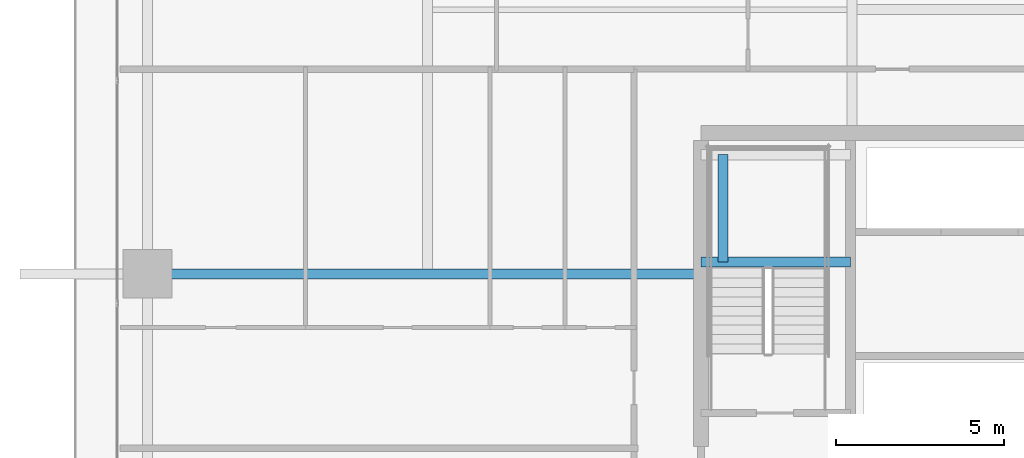
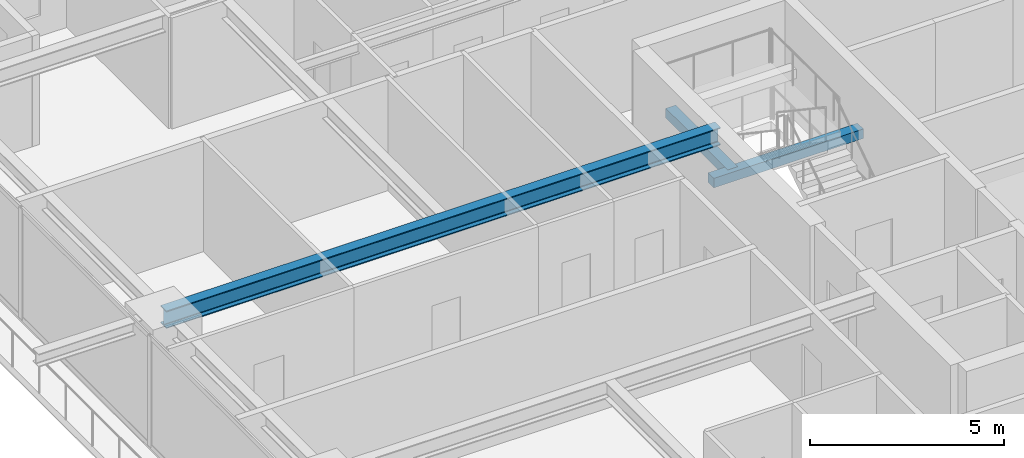
# One storey, part 9 of 38: 3 beams.
"""IFC4 building model written with IfcOpenShell, lengths in metres."""

from ifc_helpers import new_model, si_unit, direction, frame, origin, origin_2d, place, context, subcontext, project, spatial, rectangle, i_section, extrude, source, transform, mapped, material, material_profile, profile_set, type_object, element, save


model = new_model("IFC4")

# Units and contexts
model_context = context("Model", 3, precision=1e-05, world=origin(), true_north=direction((0.0, 1.0)))
body_context = subcontext(model_context, "Body", "Model", "MODEL_VIEW")
ifc_project = project(units=[si_unit("LENGTHUNIT", "METRE"), si_unit("AREAUNIT", "SQUARE_METRE"), si_unit("VOLUMEUNIT", "CUBIC_METRE"), si_unit("PLANEANGLEUNIT", "RADIAN"), si_unit("MASSUNIT", "GRAM", prefix="KILO")], contexts=[model_context])

# Site, building, storey
site_placement = place(None, origin())
site = spatial("IfcSite", under=ifc_project, at=site_placement, CompositionType="ELEMENT")
building_placement = place(site_placement, origin())
building = spatial("IfcBuilding", under=site, at=building_placement, Name="Serunith Strait Residences", CompositionType="ELEMENT")
storey_placement = place(building_placement, frame((0.0, 0.0, 67.949951171875)))
storey = spatial("IfcBuildingStorey", under=building, at=storey_placement, Name="L16", CompositionType="ELEMENT", Elevation=67.949951171875)

# Beams
ifc_material_1 = material(Name="Steel S355J2", Category="steel")
ifc_material_profile_1 = material_profile(ifc_material_1, i_section(OverallWidth=0.300048828125, OverallDepth=0.550048828125, WebThickness=0.014892578125, FlangeThickness=0.029052734375, FilletRadius=0.027099609375, at=origin_2d()), Name="HEB 550")
ifc_profile_set_1 = profile_set([ifc_material_profile_1], Name="Steel S355J2")
beam_type_1 = type_object("IfcBeamType", Name="BM-HEB550", PredefinedType="BEAM", material=ifc_profile_set_1)
shared_shape_1 = source(origin(), body_context, "Body", "SweptSolid", [
    extrude(i_section(OverallWidth=0.300048828125, OverallDepth=0.550048828125, WebThickness=0.014892578125, FlangeThickness=0.029052734375, FilletRadius=0.027099609375, at=origin_2d()), origin(), (0.0, 0.0, 1.0), 16.5),
])
beam_1_placement = place(storey_placement, frame((23.39990234375, 29.39990234375, 3.212158203125), z_axis=(-1.0, 0.0, 0.0), x_axis=(0.0, -1.0, 0.0)))
element("IfcBeam", 1, at=beam_1_placement, inside=storey, type_object=beam_type_1, Name="L16 Primary Floor Girder TC-W3", PredefinedType="BEAM", context=body_context, shape_type="MappedRepresentation", body=[
    mapped(shared_shape_1, transform((0.0, 0.0, 0.0), scale=1.0)),
])
ifc_material_2 = material(Name="Concrete C60/75", Category="concrete")
ifc_material_profile_2 = material_profile(ifc_material_2, rectangle(XDim=0.300048828125, YDim=0.300048828125, at=origin_2d()), Name="RC 300x300")
ifc_profile_set_2 = profile_set([ifc_material_profile_2], Name="Concrete C60/75")
beam_type_2 = type_object("IfcBeamType", Name="BM-LAND-300x300", PredefinedType="BEAM", material=ifc_profile_set_2)
shared_shape_2 = source(origin(), body_context, "Body", "SweptSolid", [
    extrude(rectangle(XDim=0.300048828125, YDim=0.300048828125, at=origin_2d()), origin(), (0.0, 0.0, 1.0), 4.4501953125),
])
beam_2_placement = place(storey_placement, frame((23.39990234375, 29.75, 1.525146484375), z_axis=(1.0, 0.0, 0.0), x_axis=(0.0, 1.0, 0.0)))
element("IfcBeam", 2, at=beam_2_placement, inside=storey, type_object=beam_type_2, Name="L16 ST-1 Landing Support Beam 1", PredefinedType="BEAM", context=body_context, shape_type="MappedRepresentation", body=[
    mapped(shared_shape_2, transform((0.0, 0.0, 0.0), scale=1.0)),
])
shared_shape_3 = source(origin(), body_context, "Body", "SweptSolid", [
    extrude(rectangle(XDim=0.300048828125, YDim=0.300048828125, at=origin_2d()), origin(), (0.0, 0.0, 1.0), 3.199951171875),
])
beam_3_placement = place(storey_placement, frame((24.050048828125, 29.75, 1.525146484375), z_axis=(0.0, 1.0, 0.0), x_axis=(-1.0, 0.0, 0.0)))
element("IfcBeam", 3, at=beam_3_placement, inside=storey, type_object=beam_type_2, Name="L16 ST-1 Landing Transverse Tie Beam", PredefinedType="BEAM", context=body_context, shape_type="MappedRepresentation", body=[
    mapped(shared_shape_3, transform((0.0, 0.0, 0.0), scale=1.0)),
])

save(model, "model.ifc")
